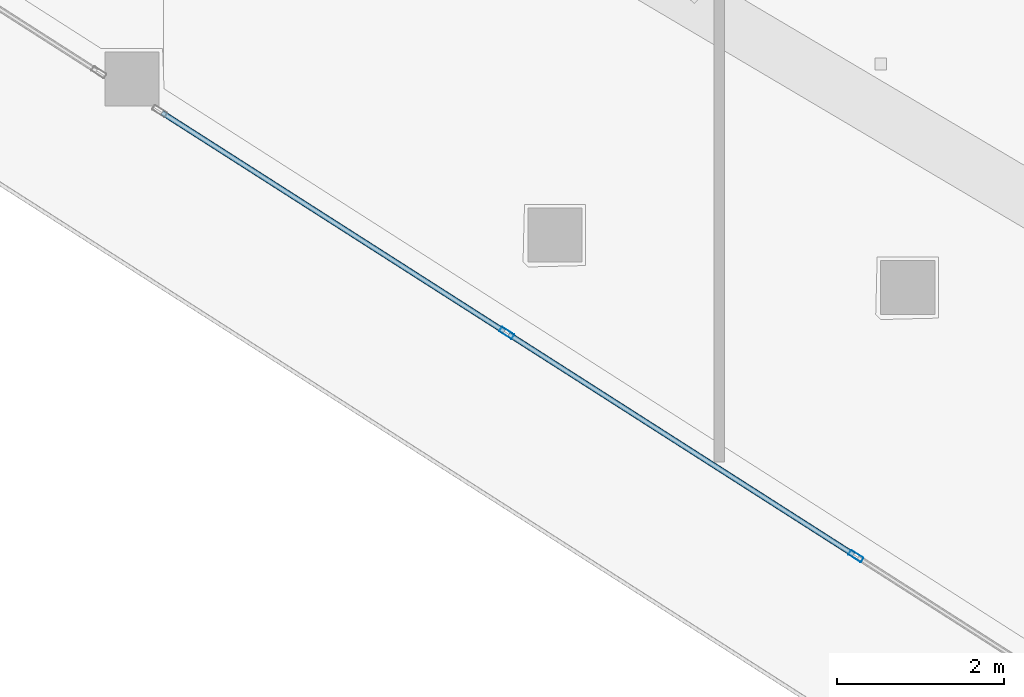
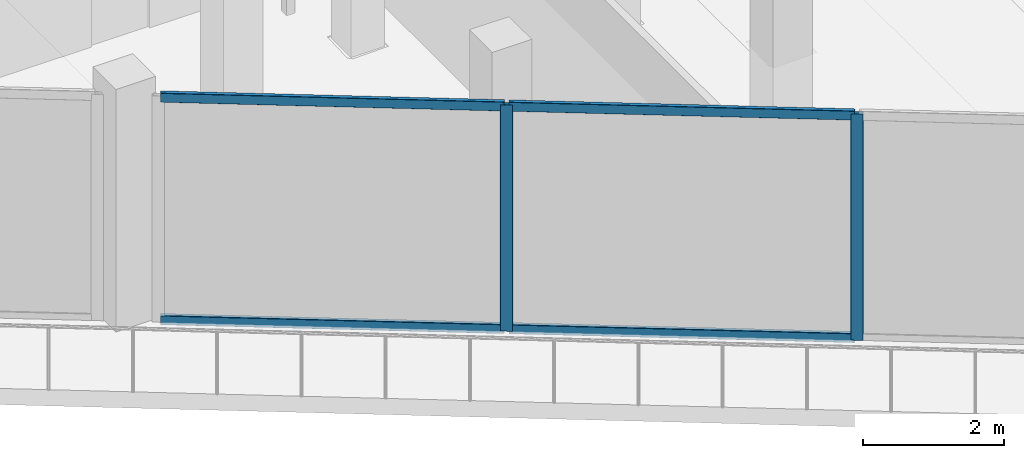
# One storey, part 2 of 44: 6 members, 1 element without a shape of its own.
"""IFC4 building model written with IfcOpenShell, lengths in metres."""

from ifc_helpers import new_model, si_unit, direction, frame, origin, origin_2d, place, context, subcontext, project, spatial, hollow_rectangle, extrude, material, layer, layer_set, material_profile, profile_set, type_object, element, aggregate, save


model = new_model("IFC4")

# Units and contexts
model_context = context("Model", 3, precision=1e-05, world=origin(), true_north=direction((0.0, 1.0)))
body_context = subcontext(model_context, "Body", "Model", "MODEL_VIEW")
ifc_project = project(units=[si_unit("LENGTHUNIT", "METRE"), si_unit("AREAUNIT", "SQUARE_METRE"), si_unit("VOLUMEUNIT", "CUBIC_METRE"), si_unit("PLANEANGLEUNIT", "RADIAN"), si_unit("MASSUNIT", "GRAM", prefix="KILO")], contexts=[model_context])

# Site, building, storey
site_placement = place(None, origin())
site = spatial("IfcSite", under=ifc_project, at=site_placement, CompositionType="ELEMENT")
building_placement = place(site_placement, origin())
building = spatial("IfcBuilding", under=site, at=building_placement, Name="Qorvath Tower", CompositionType="ELEMENT")
storey_placement = place(building_placement, frame((0.0, 0.0, 40.800048828125)))
storey = spatial("IfcBuildingStorey", under=building, at=storey_placement, Name="L08", CompositionType="ELEMENT", Elevation=40.800048828125)

# Curtain wall, members
ifc_material_1 = material(Name="Anodised aluminium and triple low-E glass", Category="aluminium")
ifc_layer = layer(ifc_material_1, 0.179931640625)
ifc_layer_set = layer_set([ifc_layer], Name="CW-SYS-2")
curtain_wall_type = type_object("IfcCurtainWallType", Name="CW-SYS-2", PredefinedType="NOTDEFINED", material=ifc_layer_set)
curtain_wall_placement = place(storey_placement, origin())
curtain_wall = element("IfcCurtainWall", 1, at=curtain_wall_placement, inside=storey, type_object=curtain_wall_type, Name="Curtain Wall CW-2 CW-T-L08-2.2", PredefinedType="NOTDEFINED")
ifc_material_2 = material(Name="Anodised aluminium 6063-T6", Category="aluminium")
ifc_material_profile_1 = material_profile(ifc_material_2, hollow_rectangle(XDim=0.06494140625, YDim=0.179931640625, WallThickness=0.00341796875, InnerFilletRadius=0.00341796875, OuterFilletRadius=0.007080078125, at=origin_2d()), Name="CWM 180x65")
ifc_profile_set_1 = profile_set([ifc_material_profile_1], Name="Anodised aluminium 6063-T6")
member_type_1 = type_object("IfcMemberType", Name="CWM-180", PredefinedType="MULLION", material=ifc_profile_set_1)
member_1_placement = place(storey_placement, frame((-35.832763671875, -20.006103515625, 0.0), z_axis=(0.0, 0.0, 1.0), x_axis=(0.538536571861, 0.842602136698, 0.0)))
member_1 = element("IfcMember", 2, at=member_1_placement, type_object=member_type_1, Name="CW-2 mullion 2", PredefinedType="MULLION", context=body_context, shape_type="SweptSolid", body=[
    extrude(hollow_rectangle(XDim=0.06494140625, YDim=0.179931640625, WallThickness=0.00341796875, InnerFilletRadius=0.00341796875, OuterFilletRadius=0.007080078125, at=origin_2d()), origin(), (0.0, 0.0, 1.0), 3.919921875),
])
member_2_placement = place(storey_placement, frame((-31.63916015625, -22.6865234375, 0.0), z_axis=(0.0, 0.0, 1.0), x_axis=(0.538536571861, 0.842602136698, 0.0)))
member_2 = element("IfcMember", 3, at=member_2_placement, type_object=member_type_1, Name="CW-2 mullion 3", PredefinedType="MULLION", context=body_context, shape_type="SweptSolid", body=[
    extrude(hollow_rectangle(XDim=0.06494140625, YDim=0.179931640625, WallThickness=0.00341796875, InnerFilletRadius=0.00341796875, OuterFilletRadius=0.007080078125, at=origin_2d()), origin(), (0.0, 0.0, 1.0), 3.919921875),
])
ifc_material_3 = material(Name="Anodised aluminium 6063-T6", Category="aluminium")
ifc_material_profile_2 = material_profile(ifc_material_3, hollow_rectangle(XDim=0.06494140625, YDim=0.159912109375, WallThickness=0.00341796875, InnerFilletRadius=0.00341796875, OuterFilletRadius=0.007080078125, at=origin_2d()), Name="CWT 160x65")
ifc_profile_set_2 = profile_set([ifc_material_profile_2], Name="Anodised aluminium 6063-T6")
member_type_2 = type_object("IfcMemberType", Name="CWT-160", PredefinedType="USERDEFINED", material=ifc_profile_set_2)
member_3_placement = place(storey_placement, frame((-39.971923828125, -17.360595703125, 0.032470703125), z_axis=(0.842609237317, -0.538525461969, 0.0), x_axis=(0.538525461969, 0.842609237317, 0.0)))
member_3 = element("IfcMember", 4, at=member_3_placement, type_object=member_type_2, Name="CW-2 transom 1.1", ObjectType="TRANSOM", PredefinedType="USERDEFINED", context=body_context, shape_type="SweptSolid", body=[
    extrude(hollow_rectangle(XDim=0.06494140625, YDim=0.159912109375, WallThickness=0.00341796875, InnerFilletRadius=0.00341796875, OuterFilletRadius=0.007080078125, at=origin_2d()), origin(), (0.0, 0.0, 1.0), 4.8798828125),
])
member_4_placement = place(storey_placement, frame((-39.971923828125, -17.360595703125, 3.887451171875), z_axis=(0.842609237317, -0.538525461969, 0.0), x_axis=(0.538525461969, 0.842609237317, 0.0)))
member_4 = element("IfcMember", 5, at=member_4_placement, type_object=member_type_2, Name="CW-2 transom 1.2", ObjectType="TRANSOM", PredefinedType="USERDEFINED", context=body_context, shape_type="SweptSolid", body=[
    extrude(hollow_rectangle(XDim=0.06494140625, YDim=0.159912109375, WallThickness=0.00341796875, InnerFilletRadius=0.00341796875, OuterFilletRadius=0.007080078125, at=origin_2d()), origin(), (0.0, 0.0, 1.0), 4.8798828125),
])
member_5_placement = place(storey_placement, frame((-35.805419921875, -20.023681640625, 0.032470703125), z_axis=(0.84260792766, -0.538527511131, 0.0), x_axis=(0.538527511131, 0.84260792766, 0.0)))
member_5 = element("IfcMember", 6, at=member_5_placement, type_object=member_type_2, Name="CW-2 transom 2.1", ObjectType="TRANSOM", PredefinedType="USERDEFINED", context=body_context, shape_type="SweptSolid", body=[
    extrude(hollow_rectangle(XDim=0.06494140625, YDim=0.159912109375, WallThickness=0.00341796875, InnerFilletRadius=0.00341796875, OuterFilletRadius=0.007080078125, at=origin_2d()), origin(), (0.0, 0.0, 1.0), 4.912109375),
])
member_6_placement = place(storey_placement, frame((-35.805419921875, -20.023681640625, 3.887451171875), z_axis=(0.84260792766, -0.538527511131, 0.0), x_axis=(0.538527511131, 0.84260792766, 0.0)))
member_6 = element("IfcMember", 7, at=member_6_placement, type_object=member_type_2, Name="CW-2 transom 2.2", ObjectType="TRANSOM", PredefinedType="USERDEFINED", context=body_context, shape_type="SweptSolid", body=[
    extrude(hollow_rectangle(XDim=0.06494140625, YDim=0.159912109375, WallThickness=0.00341796875, InnerFilletRadius=0.00341796875, OuterFilletRadius=0.007080078125, at=origin_2d()), origin(), (0.0, 0.0, 1.0), 4.912109375),
])
aggregate(curtain_wall, [member_1, member_2, member_3, member_4, member_5, member_6])

save(model, "model.ifc")
